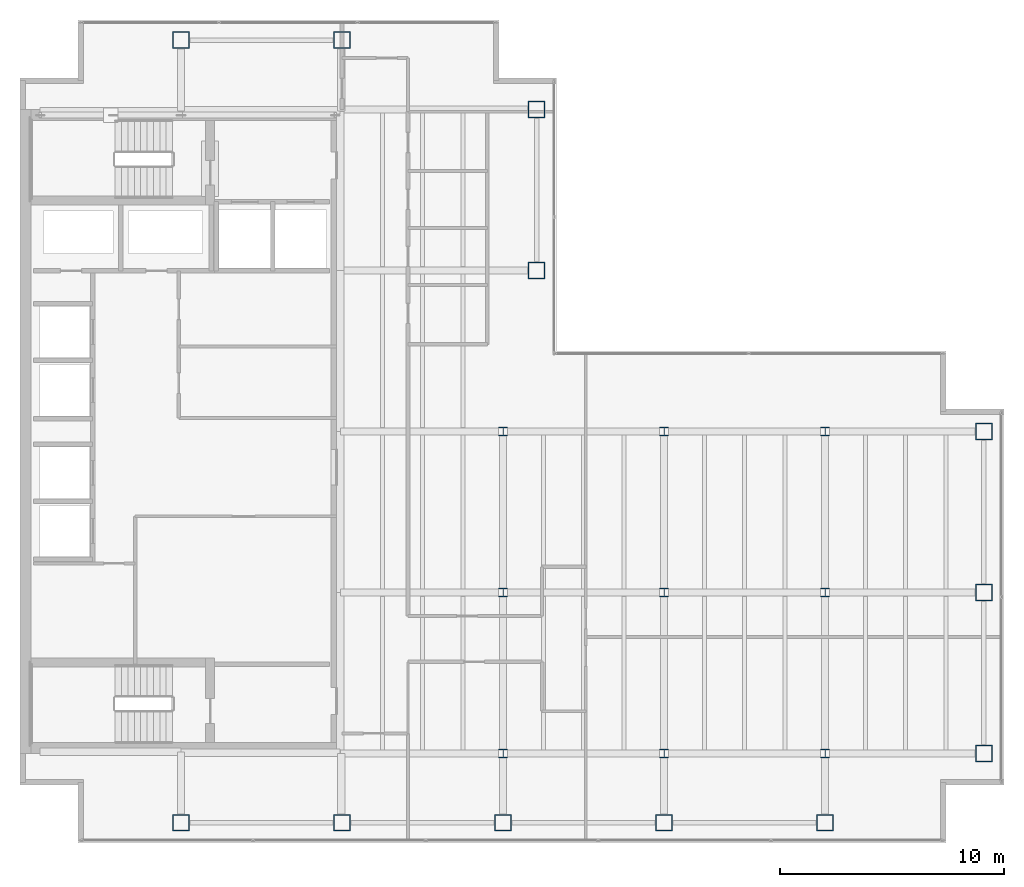
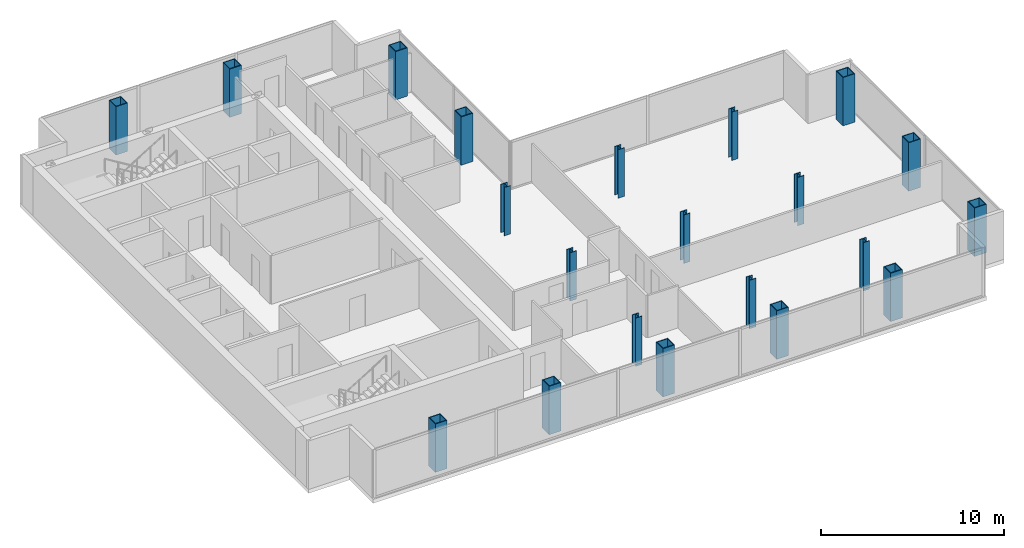
# One storey, part 1 of 23: 21 columns.
"""IFC4 building model written with IfcOpenShell, lengths in metres."""

import ifcopenshell
import ifcopenshell.guid

model = None  # the IFC model being written
_history = None  # IfcOwnerHistory: only IFC2X3 demands one
_inside = {}  # id of a spatial element -> (the spatial element, [elements in it])
_under = {}  # id of a project, library or spatial element -> (it, [spatial elements below it])
_declared = {}  # id of a project -> (the project, [libraries it declares])
_typed = {}  # id of a type object -> (the type object, [elements of that type])
_made_of = {}  # id of a material, layer set ... -> (it, [elements and type objects made of it])


def new_model(schema):
    """Start an empty IFC model of exactly this schema.

    Asked for "IFC4X3", IfcOpenShell would pick the latest addendum, in which some entities
    have other attributes; the version numbers below select the first issue.
    IFC2X3 requires an IfcOwnerHistory on every rooted entity: one is made here for all.
    """
    global model, _history
    if schema == "IFC4X3":
        model = ifcopenshell.file(schema_version=(4, 3, 0, 0))
    else:
        model = ifcopenshell.file(schema=schema)
    _inside.clear()
    _under.clear()
    _declared.clear()
    _typed.clear()
    _made_of.clear()
    _history = None
    if model.schema == "IFC2X3":
        org = make("IfcOrganization", Name="unknown")
        user = make(
            "IfcPersonAndOrganization",
            ThePerson=make("IfcPerson", FamilyName="unknown"),
            TheOrganization=org,
        )
        app = make(
            "IfcApplication",
            ApplicationDeveloper=org,
            Version="unknown",
            ApplicationFullName="unknown",
            ApplicationIdentifier="unknown",
        )
        _history = make(
            "IfcOwnerHistory",
            OwningUser=user,
            OwningApplication=app,
            ChangeAction="ADDED",
            CreationDate=0,
        )
    return model


def make(cls, **values):
    """One entity of the class cls with the attributes given. An attribute that is None is left unset."""
    return model.create_entity(
        cls, **{name: value for name, value in values.items() if value is not None}
    )


def rooted(cls, **values):
    """An entity with a GlobalId (a new one), such as an element, a storey or a relation."""
    return make(cls, GlobalId=ifcopenshell.guid.new(), OwnerHistory=_history, **values)


def si_unit(unit_type, name, prefix=None):
    """IfcSIUnit, for example si_unit("LENGTHUNIT", "METRE", prefix="MILLI")."""
    return make("IfcSIUnit", UnitType=unit_type, Prefix=prefix, Name=name)


def assignment(units):
    """IfcUnitAssignment: the units of a project."""
    return None if units is None else make("IfcUnitAssignment", Units=units)


def point(xyz):
    """IfcCartesianPoint."""
    return None if xyz is None else make("IfcCartesianPoint", Coordinates=xyz)


def direction(xyz):
    """IfcDirection."""
    return None if xyz is None else make("IfcDirection", DirectionRatios=xyz)


def frame(location, z_axis=None, x_axis=None):
    """IfcAxis2Placement3D, a coordinate frame: its origin and axes. An axis left out is left unset."""
    return make(
        "IfcAxis2Placement3D",
        Location=point(location),
        Axis=direction(z_axis),
        RefDirection=direction(x_axis),
    )


def frame_2d(location, x_axis=None):
    """IfcAxis2Placement2D, a coordinate frame in the plane: its origin and x axis."""
    return make(
        "IfcAxis2Placement2D", Location=point(location), RefDirection=direction(x_axis)
    )


def origin():
    """The frame at (0, 0, 0) with its axes left unset."""
    return frame((0.0, 0.0, 0.0))


def origin_2d():
    """The frame at (0, 0) in the plane with its x axis left unset."""
    return frame_2d((0.0, 0.0))


def place(relative_to, where):
    """IfcLocalPlacement: puts the frame where relative to a parent placement (None: the world)."""
    return make(
        "IfcLocalPlacement", PlacementRelTo=relative_to, RelativePlacement=where
    )


def context(
    kind, dimensions, precision=None, world=None, true_north=None, identifier=None
):
    """IfcGeometricRepresentationContext, for example the 3D "Model" context."""
    return make(
        "IfcGeometricRepresentationContext",
        ContextIdentifier=identifier,
        ContextType=kind,
        CoordinateSpaceDimension=dimensions,
        Precision=precision,
        WorldCoordinateSystem=world,
        TrueNorth=true_north,
    )


def subcontext(parent, identifier, kind, view, scale=None):
    """IfcGeometricRepresentationSubContext, for example "Body" below "Model"."""
    return make(
        "IfcGeometricRepresentationSubContext",
        ContextIdentifier=identifier,
        ContextType=kind,
        ParentContext=parent,
        TargetScale=scale,
        TargetView=view,
    )


def project(units=None, contexts=None):
    """IfcProject with its units and contexts."""
    return rooted(
        "IfcProject",
        Name="project",
        RepresentationContexts=contexts,
        UnitsInContext=assignment(units),
    )


def spatial(cls, under=None, at=None, **own):
    """A site, building, storey or space (cls), placed at a placement, below another one or the project."""
    s = rooted(cls, ObjectPlacement=at, **own)
    if under is not None:
        _under.setdefault(under.id(), (under, []))[1].append(s)
    return s


def profile(cls, at=None, kind="AREA", **sizes):
    """A parametric profile (cls). Its sizes go by their IFC names, for example OverallWidth=200.0."""
    return make(cls, ProfileType=kind, Position=at, **sizes)


def hollow_rectangle(**sizes):
    """IfcRectangleHollowProfileDef."""
    return profile("IfcRectangleHollowProfileDef", **sizes)


def i_section(**sizes):
    """IfcIShapeProfileDef."""
    return profile("IfcIShapeProfileDef", **sizes)


def extrude(swept, where, along, depth):
    """IfcExtrudedAreaSolid: the profile swept, set in the frame where, extruded along a direction by depth."""
    return make(
        "IfcExtrudedAreaSolid",
        SweptArea=swept,
        Position=where,
        ExtrudedDirection=direction(along),
        Depth=depth,
    )


def shape(context_of_items, identifier, shape_type, items):
    """IfcShapeRepresentation: the items that make up one representation, for example the "Body"."""
    return make(
        "IfcShapeRepresentation",
        ContextOfItems=context_of_items,
        RepresentationIdentifier=identifier,
        RepresentationType=shape_type,
        Items=items,
    )


def material(Name=None, Category=None):
    """IfcMaterial."""
    return make("IfcMaterial", Name=Name, Category=Category)


def material_profile(
    of_material, cross_section, Name=None, Category=None, Priority=None
):
    """IfcMaterialProfile: a cross section and its material."""
    return make(
        "IfcMaterialProfile",
        Name=Name,
        Material=of_material,
        Profile=cross_section,
        Priority=Priority,
        Category=Category,
    )


def profile_set(profiles, Name=None, composite=None):
    """IfcMaterialProfileSet."""
    return make(
        "IfcMaterialProfileSet",
        Name=Name,
        MaterialProfiles=profiles,
        CompositeProfile=composite,
    )


def made_of(thing, what):
    """Note that an element or type object is made of a material, layer set ...; save() writes the relation."""
    if what is not None:
        _made_of.setdefault(what.id(), (what, []))[1].append(thing)
    return thing


def type_object(cls, material=None, **own):
    """A type object (cls), such as IfcWallType, which elements share."""
    return made_of(rooted(cls, **own), material)


def element(
    cls,
    number,
    at=None,
    inside=None,
    cuts=None,
    type_object=None,
    material=None,
    context=None,
    identifier="Body",
    shape_type=None,
    held_by="IfcProductDefinitionShape",
    body=None,
    shapes=None,
    **own,
):
    """One element of the class cls, such as IfcWall. Its Tag is "e" and its number.

    at: its placement. inside: the storey or other place that contains it. cuts: it is an
    opening in that element (IfcRelVoidsElement). A single representation is given by context,
    identifier, shape_type and body (its items); several are given by shapes. held_by: the class
    of the entity that holds the representations. save() writes the other relations.
    """
    e = rooted(cls, Tag="e%d" % number, ObjectPlacement=at, **own)
    if body is not None:
        shapes = [shape(context, identifier, shape_type, body)]
    if shapes is not None:
        e.Representation = make(held_by, Representations=shapes)
    if inside is not None:
        _inside.setdefault(inside.id(), (inside, []))[1].append(e)
    if cuts is not None:
        rooted(
            "IfcRelVoidsElement", RelatingBuildingElement=cuts, RelatedOpeningElement=e
        )
    if type_object is not None:
        _typed.setdefault(type_object.id(), (type_object, []))[1].append(e)
    return made_of(e, material)


def aggregate(whole, parts):
    """IfcRelAggregates: a whole, such as a stair, and the parts it consists of."""
    return rooted("IfcRelAggregates", RelatingObject=whole, RelatedObjects=parts)


def save(model, path):
    """Write the relations noted so far, then the file.

    IfcRelAggregates (storeys below a building ...), IfcRelContainedInSpatialStructure (elements
    in a storey), IfcRelDefinesByType, IfcRelAssociatesMaterial and IfcRelDeclares: one each for
    every whole, place, type object, material and project.
    """
    for whole, parts in _under.values():
        aggregate(whole, parts)
    for where, things in _inside.values():
        rooted(
            "IfcRelContainedInSpatialStructure",
            RelatedElements=things,
            RelatingStructure=where,
        )
    for kind, things in _typed.values():
        rooted("IfcRelDefinesByType", RelatedObjects=things, RelatingType=kind)
    for what, things in _made_of.values():
        rooted("IfcRelAssociatesMaterial", RelatedObjects=things, RelatingMaterial=what)
    for by, libraries in _declared.values():
        rooted("IfcRelDeclares", RelatingContext=by, RelatedDefinitions=libraries)
    model.write(path)


model = new_model("IFC4")

# Units and contexts
model_context = context("Model", 3, precision=1e-05, world=origin(), true_north=direction((0.0, 1.0)))
body_context = subcontext(model_context, "Body", "Model", "MODEL_VIEW")
ifc_project = project(units=[si_unit("LENGTHUNIT", "METRE"), si_unit("AREAUNIT", "SQUARE_METRE"), si_unit("VOLUMEUNIT", "CUBIC_METRE"), si_unit("PLANEANGLEUNIT", "RADIAN"), si_unit("MASSUNIT", "GRAM", prefix="KILO")], contexts=[model_context])

# Site, building, storey
site_placement = place(None, origin())
site = spatial("IfcSite", under=ifc_project, at=site_placement, CompositionType="ELEMENT")
building_placement = place(site_placement, origin())
building = spatial("IfcBuilding", under=site, at=building_placement, Name="Cobrela Telecom Tower", CompositionType="ELEMENT")
storey_placement = place(building_placement, frame((0.0, 0.0, 201.25)))
storey = spatial("IfcBuildingStorey", under=building, at=storey_placement, Name="L51", CompositionType="ELEMENT", Elevation=201.25)

# Columns
ifc_material_1 = material(Name="Steel ASTM A992 Grade 50", Category="steel")
ifc_material_profile_1 = material_profile(ifc_material_1, i_section(OverallWidth=0.39892578125, OverallDepth=0.39404296875, WebThickness=0.022705078125, FlangeThickness=0.03662109375, FilletRadius=0.01806640625, at=origin_2d()), Name="W14X193")
ifc_profile_set_1 = profile_set([ifc_material_profile_1], Name="Steel ASTM A992 Grade 50")
column_type_1 = type_object("IfcColumnType", Name="COL-INT-06", PredefinedType="COLUMN", material=ifc_profile_set_1)
for number, where, z_axis, x_axis, name in (
    (1, (21.60009765625, 7.199951171875, 0.0), (0.0, 0.0, 1.0), (1.0, 0.0, 0.0), "L51 Interior Column 06"),
    (2, (21.60009765625, 14.39990234375, 0.0), (0.0, 0.0, 1.0), (1.0, 0.0, 0.0), "L51 Interior Column 07"),
    (3, (21.60009765625, 21.60009765625, 0.0), (0.0, 0.0, 1.0), (1.0, 0.0, 0.0), "L51 Interior Column 08"),
    (4, (28.800048828125, 7.199951171875, 0.0), (0.0, 0.0, 1.0), (1.0, 0.0, 0.0), "L51 Interior Column 12"),
    (5, (28.800048828125, 14.39990234375, 0.0), (0.0, 0.0, 1.0), (1.0, 0.0, 0.0), "L51 Interior Column 13"),
    (6, (28.800048828125, 21.60009765625, 0.0), (0.0, 0.0, 1.0), (1.0, 0.0, 0.0), "L51 Interior Column 14"),
    (7, (36.0, 7.199951171875, 0.0), (0.0, 0.0, 1.0), (1.0, 0.0, 0.0), "L51 Interior Column 16"),
    (8, (36.0, 14.39990234375, 0.0), (0.0, 0.0, 1.0), (1.0, 0.0, 0.0), "L51 Interior Column 17"),
    (9, (36.0, 21.60009765625, 0.0), (0.0, 0.0, 1.0), (1.0, 0.0, 0.0), "L51 Interior Column 18"),
):
    element("IfcColumn", number, at=place(storey_placement, frame(where, z_axis=z_axis, x_axis=x_axis)), inside=storey, type_object=column_type_1, Name=name, PredefinedType="COLUMN", context=body_context, shape_type="SweptSolid", body=[
        extrude(i_section(OverallWidth=0.39892578125, OverallDepth=0.39404296875, WebThickness=0.022705078125, FlangeThickness=0.03662109375, FilletRadius=0.01806640625, at=origin_2d()), origin(), (0.0, 0.0, 1.0), 3.239990234375),
    ])
ifc_material_2 = material(Name="Steel ASTM A572 Grade 50", Category="steel")
ifc_material_profile_2 = material_profile(ifc_material_2, hollow_rectangle(XDim=0.75, YDim=0.75, WallThickness=0.044921875, at=origin_2d()), Name="BOX 750x750x45")
ifc_profile_set_2 = profile_set([ifc_material_profile_2], Name="Steel ASTM A572 Grade 50")
column_type_2 = type_object("IfcColumnType", Name="COL-MEGA-08", PredefinedType="COLUMN", material=ifc_profile_set_2)
for number, where, z_axis, x_axis, name in (
    (10, (7.199951171875, 4.10009765625, 0.0), (0.0, 0.0, 1.0), (1.0, 0.0, 0.0), "L51 Perimeter Mega-Column 01"),
    (11, (7.199951171875, 39.10009765625, 0.0), (0.0, 0.0, 1.0), (1.0, 0.0, 0.0), "L51 Perimeter Mega-Column 02"),
    (12, (14.39990234375, 4.10009765625, 0.0), (0.0, 0.0, 1.0), (1.0, 0.0, 0.0), "L51 Perimeter Mega-Column 03"),
    (13, (14.39990234375, 39.10009765625, 0.0), (0.0, 0.0, 1.0), (1.0, 0.0, 0.0), "L51 Perimeter Mega-Column 04"),
    (14, (21.60009765625, 4.10009765625, 0.0), (0.0, 0.0, 1.0), (1.0, 0.0, 0.0), "L51 Perimeter Mega-Column 05"),
    (15, (23.10009765625, 28.800048828125, 0.0), (0.0, 0.0, 1.0), (1.0, 0.0, 0.0), "L51 Perimeter Mega-Column 09"),
    (16, (23.10009765625, 36.0, 0.0), (0.0, 0.0, 1.0), (1.0, 0.0, 0.0), "L51 Perimeter Mega-Column 10"),
    (17, (28.800048828125, 4.10009765625, 0.0), (0.0, 0.0, 1.0), (1.0, 0.0, 0.0), "L51 Perimeter Mega-Column 11"),
    (18, (36.0, 4.10009765625, 0.0), (0.0, 0.0, 1.0), (1.0, 0.0, 0.0), "L51 Perimeter Mega-Column 15"),
    (19, (43.10009765625, 7.199951171875, 0.0), (0.0, 0.0, 1.0), (1.0, 0.0, 0.0), "L51 Perimeter Mega-Column 19"),
    (20, (43.10009765625, 14.39990234375, 0.0), (0.0, 0.0, 1.0), (1.0, 0.0, 0.0), "L51 Perimeter Mega-Column 20"),
    (21, (43.10009765625, 21.60009765625, 0.0), (0.0, 0.0, 1.0), (1.0, 0.0, 0.0), "L51 Perimeter Mega-Column 21"),
):
    element("IfcColumn", number, at=place(storey_placement, frame(where, z_axis=z_axis, x_axis=x_axis)), inside=storey, type_object=column_type_2, Name=name, PredefinedType="COLUMN", context=body_context, shape_type="SweptSolid", body=[
        extrude(hollow_rectangle(XDim=0.75, YDim=0.75, WallThickness=0.044921875, at=origin_2d()), origin(), (0.0, 0.0, 1.0), 3.239990234375),
    ])

save(model, "model.ifc")
